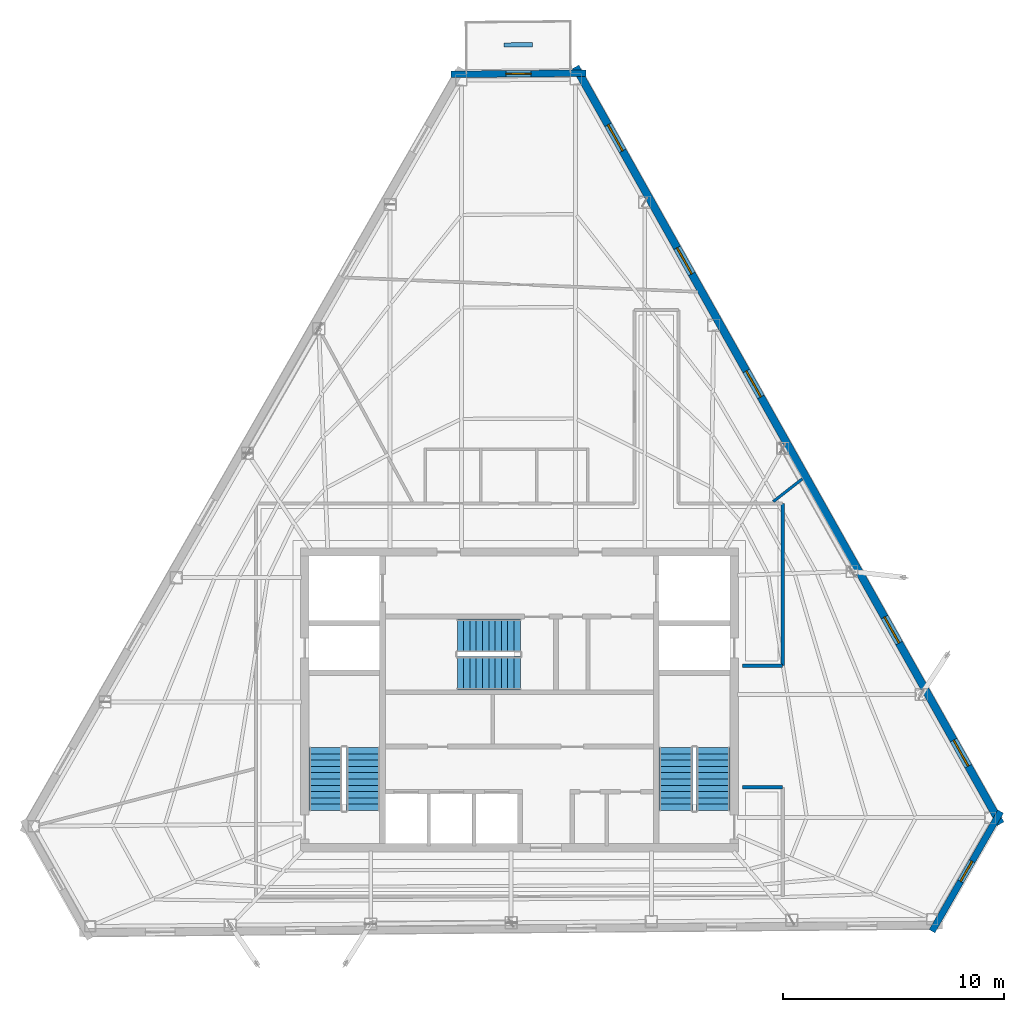
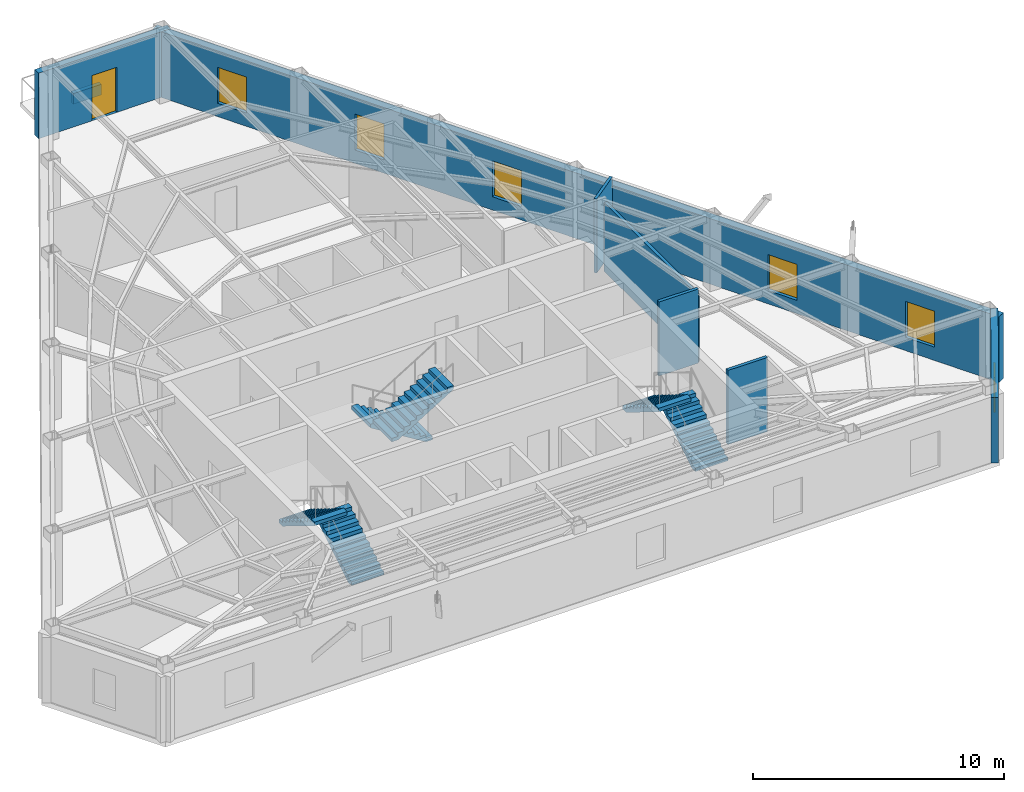
# One storey, part 9 of 11: 8 walls, 6 stair flights, 6 windows, 1 door, 7 openings, 3 elements without a shape of their own.
"""IFC4 building model written with IfcOpenShell, lengths in metres."""

from ifc_helpers import new_model, si_unit, direction, frame, frame_2d, origin, place, context, subcontext, project, spatial, polyline, rectangle, outline, extrude, material, layer, layer_set, type_object, element, fill, aggregate, save


model = new_model("IFC4")

# Units and contexts
model_context = context("Model", 3, precision=1e-05, world=origin(), true_north=direction((0.0, 1.0)))
body_context = subcontext(model_context, "Body", "Model", "MODEL_VIEW")
ifc_project = project(units=[si_unit("LENGTHUNIT", "METRE"), si_unit("AREAUNIT", "SQUARE_METRE"), si_unit("VOLUMEUNIT", "CUBIC_METRE"), si_unit("PLANEANGLEUNIT", "RADIAN"), si_unit("MASSUNIT", "GRAM", prefix="KILO")], contexts=[model_context])

# Site, building, storey
site_placement = place(None, origin())
site = spatial("IfcSite", under=ifc_project, at=site_placement, CompositionType="ELEMENT")
building_placement = place(site_placement, origin())
building = spatial("IfcBuilding", under=site, at=building_placement, Name="Kavelnor Concourse Tower", CompositionType="ELEMENT")
storey_placement = place(building_placement, frame((0.0, 0.0, 297.25)))
storey = spatial("IfcBuildingStorey", under=building, at=storey_placement, Name="L75", CompositionType="ELEMENT", Elevation=297.25)

# Wall, opening, door
ifc_material_1 = material(Name="Buff ironspot clay face brick masonry", Category="masonry")
ifc_layer_1 = layer(ifc_material_1, 0.300048828125, Name="Buff ironspot clay face brick masonry")
ifc_layer_set_1 = layer_set([ifc_layer_1], Name="Buff ironspot clay face brick masonry")
wall_type_1 = type_object("IfcWallType", Name="WL-EXT-BUFF-BRICK-FOLD-300", PredefinedType="STANDARD", material=ifc_layer_set_1)
wall_1_placement = place(storey_placement, frame((34.896728515625, 44.396484375, 0.0), z_axis=(0.0, 0.0, 1.0), x_axis=(0.999962237146, 0.008690470726, 0.0)))
wall_1 = element("IfcWall", 1, at=wall_1_placement, inside=storey, type_object=wall_type_1, Name="L75 Exterior Brick Facade Wall E0", PredefinedType="STANDARD", context=body_context, shape_type="SweptSolid", body=[
    extrude(rectangle(XDim=6.124267578125, YDim=0.300048828125, at=frame_2d((3.06201171875, 0.0))), origin(), (0.0, 0.0, 1.0), 3.196044921875),
])
opening_1_placement = place(wall_1_placement, frame((2.487060546875, 0.0, 0.0)))
opening_1 = element("IfcOpeningElement", 2, at=opening_1_placement, cuts=wall_1, Name="Opening TD-115", PredefinedType="OPENING", context=body_context, shape_type="SweptSolid", body=[
    extrude(rectangle(XDim=1.14990234375, YDim=2.199951171875, at=frame_2d((0.574951171875, 1.10009765625))), frame((0.0, 0.16015625, 0.0), z_axis=(0.0, -1.0, 0.0), x_axis=(1.0, 0.0, 0.0)), (0.0, 0.0, 1.0), 0.320068359375),
])
ifc_material_2 = material(Name="Anodised aluminium 6063-T6", Category="aluminium")
door_type = type_object("IfcDoorType", Name="DR-TERRACE-EXT-1150", OperationType="NOTDEFINED", PredefinedType="DOOR", material=ifc_material_2)
door_placement = place(opening_1_placement, origin())
door = element("IfcDoor", 3, at=door_placement, inside=storey, type_object=door_type, Name="L75 Spiral Sky Terrace Access Door", OperationType="SINGLE_SWING_RIGHT", OverallHeight=2.199951171875, OverallWidth=1.14990234375, PredefinedType="DOOR", context=body_context, shape_type="SweptSolid", body=[
    extrude(rectangle(XDim=1.14990234375, YDim=2.199951171875, at=frame_2d((0.574951171875, 1.10009765625))), frame((0.0, 0.02490234375, 0.0), z_axis=(0.0, -1.0, 0.0), x_axis=(1.0, 0.0, 0.0)), (0.0, 0.0, 1.0), 0.050048828125),
])
fill(opening_1, door)

# Wall, opening, window
wall_2_placement = place(storey_placement, frame((59.7685546875, 11.052978515625, 0.0), z_axis=(0.0, 0.0, 1.0), x_axis=(-0.497322097615, -0.867565980905, 0.0)))
wall_2 = element("IfcWall", 4, at=wall_2_placement, inside=storey, type_object=wall_type_1, Name="L75 Exterior Brick Facade Wall E4", PredefinedType="STANDARD", context=body_context, shape_type="SweptSolid", body=[
    extrude(rectangle(XDim=6.241943359375, YDim=0.300048828125, at=frame_2d((3.12109375, 0.0))), origin(), (0.0, 0.0, 1.0), 3.196044921875),
])
opening_2_placement = place(wall_2_placement, frame((2.595947265625, 0.0, 0.64990234375)))
opening_2 = element("IfcOpeningElement", 5, at=opening_2_placement, cuts=wall_2, Name="Opening W-06", PredefinedType="OPENING", context=body_context, shape_type="SweptSolid", body=[
    extrude(rectangle(XDim=1.050048828125, YDim=1.699951171875, at=frame_2d((0.52490234375, 0.85009765625))), frame((0.0, 0.16015625, 0.0), z_axis=(0.0, -1.0, 0.0), x_axis=(1.0, 0.0, 0.0)), (0.0, 0.0, 1.0), 0.320068359375),
])
ifc_material_3 = material(Name="Double low-E argon insulated glazing", Category="glass")
window_type_1 = type_object("IfcWindowType", Name="WIN-FOLD-1050", PartitioningType="SINGLE_PANEL", PredefinedType="WINDOW", material=ifc_material_3)
window_1_placement = place(opening_2_placement, origin())
window_1 = element("IfcWindow", 6, at=window_1_placement, inside=storey, type_object=window_type_1, Name="L75 Chamfer-Fold Facet Window C2", OverallHeight=1.699951171875, OverallWidth=1.050048828125, PartitioningType="SINGLE_PANEL", PredefinedType="WINDOW", context=body_context, shape_type="SweptSolid", body=[
    extrude(rectangle(XDim=1.050048828125, YDim=1.699951171875, at=frame_2d((0.52490234375, 0.85009765625))), frame((0.0, 0.030029296875, 0.0), z_axis=(0.0, -1.0, 0.0), x_axis=(1.0, 0.0, 0.0)), (0.0, 0.0, 1.0), 0.06005859375),
])
fill(opening_2, window_1)

# Wall, openings, windows
ifc_material_4 = material(Name="Red-ochre clay face brick masonry", Category="masonry")
ifc_layer_2 = layer(ifc_material_4, 0.35009765625, Name="Red-ochre clay face brick masonry")
ifc_layer_set_2 = layer_set([ifc_layer_2], Name="Red-ochre clay face brick masonry")
wall_type_2 = type_object("IfcWallType", Name="WL-EXT-RED-BRICK-PIER-350", PredefinedType="STANDARD", material=ifc_layer_set_2)
wall_3_placement = place(storey_placement, frame((40.537841796875, 44.7294921875, 0.0), z_axis=(0.0, 0.0, 1.0), x_axis=(0.48974037202, -0.871868320341, 0.0)))
wall_3 = element("IfcWall", 7, at=wall_3_placement, inside=storey, type_object=wall_type_2, Name="L75 Exterior Brick Facade Wall E5", PredefinedType="STANDARD", context=body_context, shape_type="SweptSolid", body=[
    extrude(rectangle(XDim=39.26220703125, YDim=0.35009765625, at=frame_2d((19.631103515625, 0.0))), origin(), (0.0, 0.0, 1.0), 3.196044921875),
])
opening_3_placement = place(wall_3_placement, frame((34.922607421875, 0.0, 0.64990234375)))
opening_3 = element("IfcOpeningElement", 8, at=opening_3_placement, cuts=wall_3, Name="Opening W-04", PredefinedType="OPENING", context=body_context, shape_type="SweptSolid", body=[
    extrude(rectangle(XDim=1.35009765625, YDim=1.75, at=frame_2d((0.675048828125, 0.875))), frame((0.0, 0.18505859375, 0.0), z_axis=(0.0, -1.0, 0.0), x_axis=(1.0, 0.0, 0.0)), (0.0, 0.0, 1.0), 0.3701171875),
])
opening_4_placement = place(wall_3_placement, frame((28.5380859375, 0.0, 0.64990234375)))
opening_4 = element("IfcOpeningElement", 9, at=opening_4_placement, cuts=wall_3, Name="Opening W-04", PredefinedType="OPENING", context=body_context, shape_type="SweptSolid", body=[
    extrude(rectangle(XDim=1.35009765625, YDim=1.75, at=frame_2d((0.675048828125, 0.875))), frame((0.0, 0.18505859375, 0.0), z_axis=(0.0, -1.0, 0.0), x_axis=(1.0, 0.0, 0.0)), (0.0, 0.0, 1.0), 0.3701171875),
])
opening_5_placement = place(wall_3_placement, frame((15.76953125, 0.0, 0.64990234375)))
opening_5 = element("IfcOpeningElement", 10, at=opening_5_placement, cuts=wall_3, Name="Opening W-04", PredefinedType="OPENING", context=body_context, shape_type="SweptSolid", body=[
    extrude(rectangle(XDim=1.35009765625, YDim=1.75, at=frame_2d((0.675048828125, 0.875))), frame((0.0, 0.18505859375, 0.0), z_axis=(0.0, -1.0, 0.0), x_axis=(1.0, 0.0, 0.0)), (0.0, 0.0, 1.0), 0.3701171875),
])
opening_6_placement = place(wall_3_placement, frame((9.385009765625, 0.0, 0.64990234375)))
opening_6 = element("IfcOpeningElement", 11, at=opening_6_placement, cuts=wall_3, Name="Opening W-04", PredefinedType="OPENING", context=body_context, shape_type="SweptSolid", body=[
    extrude(rectangle(XDim=1.35009765625, YDim=1.75, at=frame_2d((0.675048828125, 0.875))), frame((0.0, 0.18505859375, 0.0), z_axis=(0.0, -1.0, 0.0), x_axis=(1.0, 0.0, 0.0)), (0.0, 0.0, 1.0), 0.3701171875),
])
opening_7_placement = place(wall_3_placement, frame((3.000732421875, 0.0, 0.64990234375)))
opening_7 = element("IfcOpeningElement", 12, at=opening_7_placement, cuts=wall_3, Name="Opening W-04", PredefinedType="OPENING", context=body_context, shape_type="SweptSolid", body=[
    extrude(rectangle(XDim=1.35009765625, YDim=1.75, at=frame_2d((0.675048828125, 0.875))), frame((0.0, 0.18505859375, 0.0), z_axis=(0.0, -1.0, 0.0), x_axis=(1.0, 0.0, 0.0)), (0.0, 0.0, 1.0), 0.3701171875),
])
window_type_2 = type_object("IfcWindowType", Name="WIN-PIER-Z4-1350", PartitioningType="SINGLE_PANEL", PredefinedType="WINDOW", material=ifc_material_3)
window_2_placement = place(opening_3_placement, origin())
window_2 = element("IfcWindow", 13, at=window_2_placement, inside=storey, type_object=window_type_2, Name="L75 Deep-Set Brick Pier Window F2-B0", OverallHeight=1.75, OverallWidth=1.35009765625, PartitioningType="SINGLE_PANEL", PredefinedType="WINDOW", context=body_context, shape_type="SweptSolid", body=[
    extrude(rectangle(XDim=1.35009765625, YDim=1.75, at=frame_2d((0.675048828125, 0.875))), frame((0.0, 0.030029296875, 0.0), z_axis=(0.0, -1.0, 0.0), x_axis=(1.0, 0.0, 0.0)), (0.0, 0.0, 1.0), 0.06005859375),
])
fill(opening_3, window_2)
window_3_placement = place(opening_4_placement, origin())
window_3 = element("IfcWindow", 14, at=window_3_placement, inside=storey, type_object=window_type_2, Name="L75 Deep-Set Brick Pier Window F2-B1", OverallHeight=1.75, OverallWidth=1.35009765625, PartitioningType="SINGLE_PANEL", PredefinedType="WINDOW", context=body_context, shape_type="SweptSolid", body=[
    extrude(rectangle(XDim=1.35009765625, YDim=1.75, at=frame_2d((0.675048828125, 0.875))), frame((0.0, 0.030029296875, 0.0), z_axis=(0.0, -1.0, 0.0), x_axis=(1.0, 0.0, 0.0)), (0.0, 0.0, 1.0), 0.06005859375),
])
fill(opening_4, window_3)
window_4_placement = place(opening_5_placement, origin())
window_4 = element("IfcWindow", 15, at=window_4_placement, inside=storey, type_object=window_type_2, Name="L75 Deep-Set Brick Pier Window F2-B3", OverallHeight=1.75, OverallWidth=1.35009765625, PartitioningType="SINGLE_PANEL", PredefinedType="WINDOW", context=body_context, shape_type="SweptSolid", body=[
    extrude(rectangle(XDim=1.35009765625, YDim=1.75, at=frame_2d((0.675048828125, 0.875))), frame((0.0, 0.030029296875, 0.0), z_axis=(0.0, -1.0, 0.0), x_axis=(1.0, 0.0, 0.0)), (0.0, 0.0, 1.0), 0.06005859375),
])
fill(opening_5, window_4)
window_5_placement = place(opening_6_placement, origin())
window_5 = element("IfcWindow", 16, at=window_5_placement, inside=storey, type_object=window_type_2, Name="L75 Deep-Set Brick Pier Window F2-B4", OverallHeight=1.75, OverallWidth=1.35009765625, PartitioningType="SINGLE_PANEL", PredefinedType="WINDOW", context=body_context, shape_type="SweptSolid", body=[
    extrude(rectangle(XDim=1.35009765625, YDim=1.75, at=frame_2d((0.675048828125, 0.875))), frame((0.0, 0.030029296875, 0.0), z_axis=(0.0, -1.0, 0.0), x_axis=(1.0, 0.0, 0.0)), (0.0, 0.0, 1.0), 0.06005859375),
])
fill(opening_6, window_5)
window_6_placement = place(opening_7_placement, origin())
window_6 = element("IfcWindow", 17, at=window_6_placement, inside=storey, type_object=window_type_2, Name="L75 Deep-Set Brick Pier Window F2-B5", OverallHeight=1.75, OverallWidth=1.35009765625, PartitioningType="SINGLE_PANEL", PredefinedType="WINDOW", context=body_context, shape_type="SweptSolid", body=[
    extrude(rectangle(XDim=1.35009765625, YDim=1.75, at=frame_2d((0.675048828125, 0.875))), frame((0.0, 0.030029296875, 0.0), z_axis=(0.0, -1.0, 0.0), x_axis=(1.0, 0.0, 0.0)), (0.0, 0.0, 1.0), 0.06005859375),
])
fill(opening_7, window_6)

# Walls
ifc_material_5 = material(Name="Gypsum plasterboard on light-gauge steel studs", Category="steel")
ifc_layer_3 = layer(ifc_material_5, 0.14501953125, Name="Gypsum plasterboard on light-gauge steel studs")
ifc_layer_set_3 = layer_set([ifc_layer_3], Name="Gypsum plasterboard on light-gauge steel studs")
wall_type_3 = type_object("IfcWallType", Name="WL-INT-CORR-145", PredefinedType="PARTITIONING", material=ifc_layer_set_3)
wall_4_placement = place(storey_placement, frame((49.909912109375, 24.989990234375, 0.0), z_axis=(0.0, 0.0, 1.0), x_axis=(0.0, -1.0, 0.0)))
element("IfcWall", 18, at=wall_4_placement, inside=storey, type_object=wall_type_3, Name="L75 Corridor Wall WL-L75-CR-05", PredefinedType="PARTITIONING", context=body_context, shape_type="SweptSolid", body=[
    extrude(rectangle(XDim=7.340087890625, YDim=0.14501953125, at=frame_2d((3.669921875, 0.0))), origin(), (0.0, 0.0, 1.0), 3.34912109375),
])
for number, where, z_axis, x_axis, name in (
    (19, (49.909912109375, 17.64990234375, 0.0), (0.0, 0.0, 1.0), (-1.0, 0.0, 0.0), "L75 Corridor Wall WL-L75-CR-06"),
    (20, (48.090087890625, 12.14990234375, 0.0), (0.0, 0.0, 1.0), (1.0, 0.0, 0.0), "L75 Corridor Wall WL-L75-CR-07"),
):
    element("IfcWall", number, at=place(storey_placement, frame(where, z_axis=z_axis, x_axis=x_axis)), inside=storey, type_object=wall_type_3, Name=name, PredefinedType="PARTITIONING", context=body_context, shape_type="SweptSolid", body=[
        extrude(rectangle(XDim=1.81982421875, YDim=0.14501953125, at=frame_2d((0.909912109375, 0.0))), origin(), (0.0, 0.0, 1.0), 3.610107421875),
    ])
ifc_layer_4 = layer(ifc_material_5, 0.125, Name="Gypsum plasterboard on light-gauge steel studs")
ifc_layer_set_4 = layer_set([ifc_layer_4], Name="Gypsum plasterboard on light-gauge steel studs")
wall_type_4 = type_object("IfcWallType", Name="WL-INT-SUITE-125", PredefinedType="PARTITIONING", material=ifc_layer_set_4)
wall_5_placement = place(storey_placement, frame((49.481689453125, 25.070556640625, 0.0), z_axis=(0.0, 0.0, 1.0), x_axis=(0.788031007274, 0.615635550935, 0.0)))
element("IfcWall", 21, at=wall_5_placement, inside=storey, type_object=wall_type_4, Name="L75 Radial Suite Partition 01", PredefinedType="PARTITIONING", context=body_context, shape_type="SweptSolid", body=[
    extrude(rectangle(XDim=1.673828125, YDim=0.125, at=frame_2d((0.8369140625, 0.0))), origin(), (0.0, 0.0, 1.0), 3.610107421875),
])
ifc_material_6 = material(Name="Architectural precast planter concrete C40/50", Category="concrete")
ifc_layer_5 = layer(ifc_material_6, 0.18994140625, Name="Architectural precast planter concrete C40/50")
ifc_layer_set_5 = layer_set([ifc_layer_5], Name="Architectural precast planter concrete C40/50")
wall_type_5 = type_object("IfcWallType", Name="WL-PLANTER-KERB-190", PredefinedType="USERDEFINED", material=ifc_layer_set_5)
wall_6_placement = place(storey_placement, frame((38.597412109375, 45.738525390625, 0.0), z_axis=(0.0, 0.0, 1.0), x_axis=(-0.999962690267, -0.008638175353, 0.0)))
element("IfcWall", 22, at=wall_6_placement, inside=storey, type_object=wall_type_5, Name="L75 Spiral Terrace Landscaped Planter Kerb", ObjectType="PLANTER", PredefinedType="USERDEFINED", context=body_context, shape_type="SweptSolid", body=[
    extrude(rectangle(XDim=1.300048828125, YDim=0.18994140625, at=frame_2d((0.64990234375, 0.0))), origin(), (0.0, 0.0, 1.0), 0.52001953125),
])

# Stair, stair flights
ifc_material_7 = material(Name="Concrete C40/50", Category="concrete")
stair_type = type_object("IfcStairType", Name="STR-CORE-1500", PredefinedType="HALF_TURN_STAIR", material=ifc_material_7)
stair_1_placement = place(storey_placement, origin())
stair_1 = element("IfcStair", 23, at=stair_1_placement, inside=storey, type_object=stair_type, Name="L75 ST1", PredefinedType="HALF_TURN_STAIR")
stair_flight_type = type_object("IfcStairFlightType", Name="STR-FLIGHT-1500", PredefinedType="STRAIGHT", material=ifc_material_7)
stair_flight_1_placement = place(storey_placement, frame((30.929931640625, 11.10009765625, 0.0), z_axis=(0.0, 0.0, 1.0), x_axis=(0.0, 1.0, 0.0)))
stair_flight_1 = element("IfcStairFlight", 24, at=stair_flight_1_placement, type_object=stair_flight_type, Name="ST1 flight 1", NumberOfRisers=11, NumberOfTreads=10, PredefinedType="STRAIGHT", RiserHeight=0.175, TreadLength=0.285, context=body_context, shape_type="SweptSolid", body=[
    extrude(outline(polyline([(0.0, 0.0), (0.0, 0.175048828125), (0.284912109375, 0.175048828125), (0.284912109375, 0.35009765625), (0.570068359375, 0.35009765625), (0.570068359375, 0.52490234375), (0.85498046875, 0.52490234375), (0.85498046875, 0.699951171875), (1.139892578125, 0.699951171875), (1.139892578125, 0.875), (1.425048828125, 0.875), (1.425048828125, 1.050048828125), (1.7099609375, 1.050048828125), (1.7099609375, 1.22509765625), (1.9951171875, 1.22509765625), (1.9951171875, 1.39990234375), (2.280029296875, 1.39990234375), (2.280029296875, 1.574951171875), (2.56494140625, 1.574951171875), (2.56494140625, 1.75), (2.85009765625, 1.75), (2.85009765625, 1.925048828125), (2.85009765625, 1.573974609375), (0.286376953125, 0.0), (0.0, 0.0)])), frame((0.0, 0.75, 0.0), z_axis=(0.0, -1.0, 0.0), x_axis=(1.0, 0.0, 0.0)), (0.0, 0.0, 1.0), 1.5),
])
stair_flight_2_placement = place(storey_placement, frame((29.22998046875, 13.949951171875, 1.925048828125), z_axis=(0.0, 0.0, 1.0), x_axis=(0.0, -1.0, 0.0)))
stair_flight_2 = element("IfcStairFlight", 25, at=stair_flight_2_placement, type_object=stair_flight_type, Name="ST1 flight 2", NumberOfRisers=11, NumberOfTreads=10, PredefinedType="STRAIGHT", RiserHeight=0.175, TreadLength=0.285, context=body_context, shape_type="SweptSolid", body=[
    extrude(outline(polyline([(0.0, 0.0), (0.0, 0.175048828125), (0.284912109375, 0.175048828125), (0.284912109375, 0.35009765625), (0.570068359375, 0.35009765625), (0.570068359375, 0.52490234375), (0.85498046875, 0.52490234375), (0.85498046875, 0.699951171875), (1.139892578125, 0.699951171875), (1.139892578125, 0.875), (1.425048828125, 0.875), (1.425048828125, 1.050048828125), (1.7099609375, 1.050048828125), (1.7099609375, 1.22509765625), (1.9951171875, 1.22509765625), (1.9951171875, 1.39990234375), (2.280029296875, 1.39990234375), (2.280029296875, 1.574951171875), (2.56494140625, 1.574951171875), (2.56494140625, 1.75), (2.85009765625, 1.75), (2.85009765625, 1.925048828125), (2.85009765625, 1.573974609375), (0.286376953125, 0.0), (0.0, 0.0)])), frame((0.0, 0.75, 0.0), z_axis=(0.0, -1.0, 0.0), x_axis=(1.0, 0.0, 0.0)), (0.0, 0.0, 1.0), 1.5),
])
aggregate(stair_1, [stair_flight_1, stair_flight_2])

stair_2_placement = place(storey_placement, origin())
stair_2 = element("IfcStair", 26, at=stair_2_placement, inside=storey, type_object=stair_type, Name="L75 ST2", PredefinedType="HALF_TURN_STAIR")
stair_flight_3_placement = place(storey_placement, frame((46.77001953125, 11.10009765625, 0.0), z_axis=(0.0, 0.0, 1.0), x_axis=(0.0, 1.0, 0.0)))
stair_flight_3 = element("IfcStairFlight", 27, at=stair_flight_3_placement, type_object=stair_flight_type, Name="ST2 flight 1", NumberOfRisers=11, NumberOfTreads=10, PredefinedType="STRAIGHT", RiserHeight=0.175, TreadLength=0.285, context=body_context, shape_type="SweptSolid", body=[
    extrude(outline(polyline([(0.0, 0.0), (0.0, 0.175048828125), (0.284912109375, 0.175048828125), (0.284912109375, 0.35009765625), (0.570068359375, 0.35009765625), (0.570068359375, 0.52490234375), (0.85498046875, 0.52490234375), (0.85498046875, 0.699951171875), (1.139892578125, 0.699951171875), (1.139892578125, 0.875), (1.425048828125, 0.875), (1.425048828125, 1.050048828125), (1.7099609375, 1.050048828125), (1.7099609375, 1.22509765625), (1.9951171875, 1.22509765625), (1.9951171875, 1.39990234375), (2.280029296875, 1.39990234375), (2.280029296875, 1.574951171875), (2.56494140625, 1.574951171875), (2.56494140625, 1.75), (2.85009765625, 1.75), (2.85009765625, 1.925048828125), (2.85009765625, 1.573974609375), (0.286376953125, 0.0), (0.0, 0.0)])), frame((0.0, 0.75, 0.0), z_axis=(0.0, -1.0, 0.0), x_axis=(1.0, 0.0, 0.0)), (0.0, 0.0, 1.0), 1.5),
])
stair_flight_4_placement = place(storey_placement, frame((45.070068359375, 13.949951171875, 1.925048828125), z_axis=(0.0, 0.0, 1.0), x_axis=(0.0, -1.0, 0.0)))
stair_flight_4 = element("IfcStairFlight", 28, at=stair_flight_4_placement, type_object=stair_flight_type, Name="ST2 flight 2", NumberOfRisers=11, NumberOfTreads=10, PredefinedType="STRAIGHT", RiserHeight=0.175, TreadLength=0.285, context=body_context, shape_type="SweptSolid", body=[
    extrude(outline(polyline([(0.0, 0.0), (0.0, 0.175048828125), (0.284912109375, 0.175048828125), (0.284912109375, 0.35009765625), (0.570068359375, 0.35009765625), (0.570068359375, 0.52490234375), (0.85498046875, 0.52490234375), (0.85498046875, 0.699951171875), (1.139892578125, 0.699951171875), (1.139892578125, 0.875), (1.425048828125, 0.875), (1.425048828125, 1.050048828125), (1.7099609375, 1.050048828125), (1.7099609375, 1.22509765625), (1.9951171875, 1.22509765625), (1.9951171875, 1.39990234375), (2.280029296875, 1.39990234375), (2.280029296875, 1.574951171875), (2.56494140625, 1.574951171875), (2.56494140625, 1.75), (2.85009765625, 1.75), (2.85009765625, 1.925048828125), (2.85009765625, 1.573974609375), (0.286376953125, 0.0), (0.0, 0.0)])), frame((0.0, 0.75, 0.0), z_axis=(0.0, -1.0, 0.0), x_axis=(1.0, 0.0, 0.0)), (0.0, 0.0, 1.0), 1.5),
])
aggregate(stair_2, [stair_flight_3, stair_flight_4])

stair_3_placement = place(storey_placement, origin())
stair_3 = element("IfcStair", 29, at=stair_3_placement, inside=storey, type_object=stair_type, Name="L75 ST3", PredefinedType="HALF_TURN_STAIR")
stair_flight_5_placement = place(storey_placement, frame((38.0400390625, 19.010009765625, 0.0), z_axis=(0.0, 0.0, 1.0), x_axis=(-1.0, 0.0, 0.0)))
stair_flight_5 = element("IfcStairFlight", 30, at=stair_flight_5_placement, type_object=stair_flight_type, Name="ST3 flight 1", NumberOfRisers=11, NumberOfTreads=10, PredefinedType="STRAIGHT", RiserHeight=0.175, TreadLength=0.285, context=body_context, shape_type="SweptSolid", body=[
    extrude(outline(polyline([(0.0, 0.0), (0.0, 0.175048828125), (0.284912109375, 0.175048828125), (0.284912109375, 0.35009765625), (0.570068359375, 0.35009765625), (0.570068359375, 0.52490234375), (0.85498046875, 0.52490234375), (0.85498046875, 0.699951171875), (1.139892578125, 0.699951171875), (1.139892578125, 0.875), (1.425048828125, 0.875), (1.425048828125, 1.050048828125), (1.7099609375, 1.050048828125), (1.7099609375, 1.22509765625), (1.9951171875, 1.22509765625), (1.9951171875, 1.39990234375), (2.280029296875, 1.39990234375), (2.280029296875, 1.574951171875), (2.56494140625, 1.574951171875), (2.56494140625, 1.75), (2.85009765625, 1.75), (2.85009765625, 1.925048828125), (2.85009765625, 1.573974609375), (0.286376953125, 0.0), (0.0, 0.0)])), frame((0.0, 0.75, 0.0), z_axis=(0.0, -1.0, 0.0), x_axis=(1.0, 0.0, 0.0)), (0.0, 0.0, 1.0), 1.5),
])
stair_flight_6_placement = place(storey_placement, frame((35.18994140625, 17.31005859375, 1.925048828125), z_axis=(0.0, 0.0, 1.0), x_axis=(1.0, 0.0, 0.0)))
stair_flight_6 = element("IfcStairFlight", 31, at=stair_flight_6_placement, type_object=stair_flight_type, Name="ST3 flight 2", NumberOfRisers=11, NumberOfTreads=10, PredefinedType="STRAIGHT", RiserHeight=0.175, TreadLength=0.285, context=body_context, shape_type="SweptSolid", body=[
    extrude(outline(polyline([(0.0, 0.0), (0.0, 0.175048828125), (0.284912109375, 0.175048828125), (0.284912109375, 0.35009765625), (0.570068359375, 0.35009765625), (0.570068359375, 0.52490234375), (0.85498046875, 0.52490234375), (0.85498046875, 0.699951171875), (1.139892578125, 0.699951171875), (1.139892578125, 0.875), (1.425048828125, 0.875), (1.425048828125, 1.050048828125), (1.7099609375, 1.050048828125), (1.7099609375, 1.22509765625), (1.9951171875, 1.22509765625), (1.9951171875, 1.39990234375), (2.280029296875, 1.39990234375), (2.280029296875, 1.574951171875), (2.56494140625, 1.574951171875), (2.56494140625, 1.75), (2.85009765625, 1.75), (2.85009765625, 1.925048828125), (2.85009765625, 1.573974609375), (0.286376953125, 0.0), (0.0, 0.0)])), frame((0.0, 0.75, 0.0), z_axis=(0.0, -1.0, 0.0), x_axis=(1.0, 0.0, 0.0)), (0.0, 0.0, 1.0), 1.5),
])
aggregate(stair_3, [stair_flight_5, stair_flight_6])

save(model, "model.ifc")
